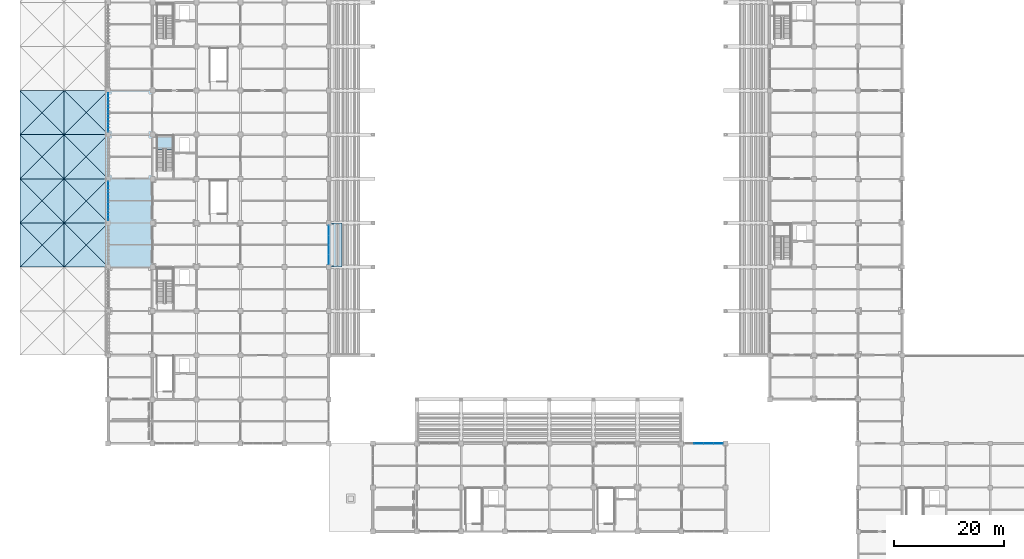
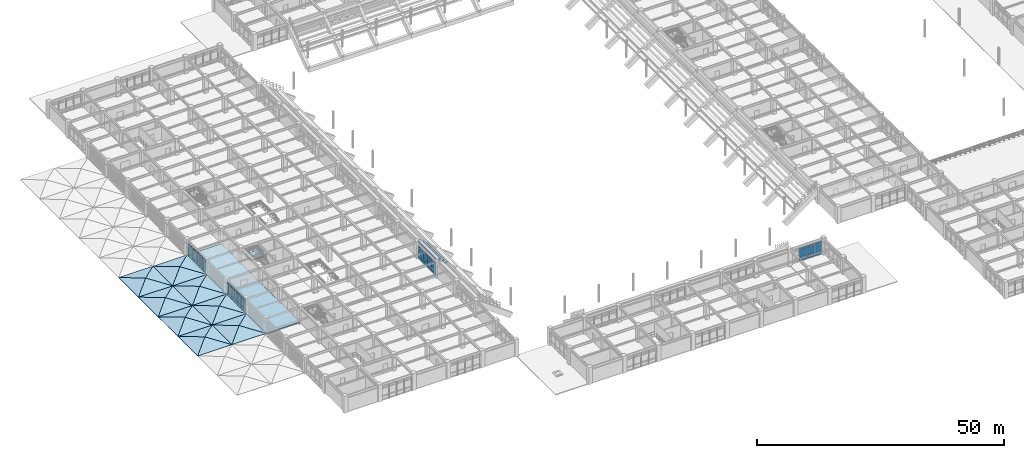
# One storey, part 68 of 118: 45 plates, 37 slabs, 5 elements without a shape of their own.
"""IFC4 building model written with IfcOpenShell, lengths in metres."""

from ifc_helpers import new_model, si_unit, direction, frame, origin, origin_2d, place, context, subcontext, project, spatial, polyline, rectangle, outline, extrude, material, layer, layer_set, type_object, element, aggregate, save


model = new_model("IFC4")

# Units and contexts
model_context = context("Model", 3, precision=1e-05, world=origin(), true_north=direction((0.0, 1.0)))
body_context = subcontext(model_context, "Body", "Model", "MODEL_VIEW")
ifc_project = project(units=[si_unit("LENGTHUNIT", "METRE"), si_unit("AREAUNIT", "SQUARE_METRE"), si_unit("VOLUMEUNIT", "CUBIC_METRE"), si_unit("PLANEANGLEUNIT", "RADIAN"), si_unit("MASSUNIT", "GRAM", prefix="KILO")], contexts=[model_context])

# Site, building, storey
site_placement = place(None, origin())
site = spatial("IfcSite", under=ifc_project, at=site_placement, CompositionType="ELEMENT")
building_placement = place(site_placement, origin())
building = spatial("IfcBuilding", under=site, at=building_placement, Name="Haebicheon Civic Stadium", CompositionType="ELEMENT")
storey_placement = place(building_placement, frame((0.0, 0.0, 14.39990234375)))
storey = spatial("IfcBuildingStorey", under=building, at=storey_placement, Name="L04", CompositionType="ELEMENT", Elevation=14.39990234375)

# Curtain wall, plates
ifc_material_1 = material(Name="Anodised aluminium and laminated glass", Category="aluminium")
ifc_layer_1 = layer(ifc_material_1, 0.179931640625, Name="Anodised aluminium and laminated glass")
ifc_layer_set_1 = layer_set([ifc_layer_1], Name="Anodised aluminium and laminated glass")
curtain_wall_type_1 = type_object("IfcCurtainWallType", Name="CW-7100x3330", PredefinedType="NOTDEFINED", material=ifc_layer_set_1)
curtain_wall_1_placement = place(storey_placement, origin())
curtain_wall_1 = element("IfcCurtainWall", 1, at=curtain_wall_1_placement, inside=storey, type_object=curtain_wall_type_1, material=ifc_layer_set_1, Name="L04 unitised curtain wall 107", PredefinedType="NOTDEFINED")
ifc_material_2 = material(Name="Double low-e acoustic laminated glass", Category="glass")
ifc_layer_2 = layer(ifc_material_2, 0.035888671875, Name="Double low-e acoustic laminated glass")
ifc_layer_set_2 = layer_set([ifc_layer_2], Name="Double low-e acoustic laminated glass")
plate_type_1 = type_object("IfcPlateType", Name="CWP-GLZ-36", PredefinedType="CURTAIN_PANEL", material=ifc_layer_set_2)
plate_1_placement = place(storey_placement, frame((24.0, 73.35498046875, 0.93505859375), z_axis=(0.0, 0.0, 1.0), x_axis=(0.0, 1.0, 0.0)))
plate_1 = element("IfcPlate", 2, at=plate_1_placement, type_object=plate_type_1, material=ifc_layer_set_2, Name="CW-L04-107 vision panel 1.2", PredefinedType="CURTAIN_PANEL", context=body_context, shape_type="SweptSolid", body=[
    extrude(rectangle(XDim=1.669921875, YDim=0.035888671875, at=origin_2d()), origin(), (0.0, 0.0, 1.0), 1.81005859375),
])
plate_2_placement = place(storey_placement, frame((24.0, 75.112060546875, 0.93505859375), z_axis=(0.0, 0.0, 1.0), x_axis=(0.0, 1.0, 0.0)))
plate_2 = element("IfcPlate", 3, at=plate_2_placement, type_object=plate_type_1, material=ifc_layer_set_2, Name="CW-L04-107 vision panel 2.2", PredefinedType="CURTAIN_PANEL", context=body_context, shape_type="SweptSolid", body=[
    extrude(rectangle(XDim=1.705078125, YDim=0.035888671875, at=origin_2d()), origin(), (0.0, 0.0, 1.0), 1.81005859375),
])
plate_3_placement = place(storey_placement, frame((24.0, 76.887939453125, 0.93505859375), z_axis=(0.0, 0.0, 1.0), x_axis=(0.0, 1.0, 0.0)))
plate_3 = element("IfcPlate", 4, at=plate_3_placement, type_object=plate_type_1, material=ifc_layer_set_2, Name="CW-L04-107 vision panel 3.2", PredefinedType="CURTAIN_PANEL", context=body_context, shape_type="SweptSolid", body=[
    extrude(rectangle(XDim=1.705078125, YDim=0.035888671875, at=origin_2d()), origin(), (0.0, 0.0, 1.0), 1.81005859375),
])
plate_4_placement = place(storey_placement, frame((24.0, 78.64501953125, 0.93505859375), z_axis=(0.0, 0.0, 1.0), x_axis=(0.0, 1.0, 0.0)))
plate_4 = element("IfcPlate", 5, at=plate_4_placement, type_object=plate_type_1, material=ifc_layer_set_2, Name="CW-L04-107 vision panel 4.2", PredefinedType="CURTAIN_PANEL", context=body_context, shape_type="SweptSolid", body=[
    extrude(rectangle(XDim=1.669921875, YDim=0.035888671875, at=origin_2d()), origin(), (0.0, 0.0, 1.0), 1.81005859375),
])

curtain_wall_2_placement = place(storey_placement, origin())
curtain_wall_2 = element("IfcCurtainWall", 6, at=curtain_wall_2_placement, inside=storey, type_object=curtain_wall_type_1, material=ifc_layer_set_1, Name="L04 unitised curtain wall 108", PredefinedType="NOTDEFINED")
plate_5_placement = place(storey_placement, frame((24.0, 89.35498046875, 0.93505859375), z_axis=(0.0, 0.0, 1.0), x_axis=(0.0, 1.0, 0.0)))
plate_5 = element("IfcPlate", 7, at=plate_5_placement, type_object=plate_type_1, material=ifc_layer_set_2, Name="CW-L04-108 vision panel 1.2", PredefinedType="CURTAIN_PANEL", context=body_context, shape_type="SweptSolid", body=[
    extrude(rectangle(XDim=1.669921875, YDim=0.035888671875, at=origin_2d()), origin(), (0.0, 0.0, 1.0), 1.81005859375),
])
plate_6_placement = place(storey_placement, frame((24.0, 91.112060546875, 0.93505859375), z_axis=(0.0, 0.0, 1.0), x_axis=(0.0, 1.0, 0.0)))
plate_6 = element("IfcPlate", 8, at=plate_6_placement, type_object=plate_type_1, material=ifc_layer_set_2, Name="CW-L04-108 vision panel 2.2", PredefinedType="CURTAIN_PANEL", context=body_context, shape_type="SweptSolid", body=[
    extrude(rectangle(XDim=1.705078125, YDim=0.035888671875, at=origin_2d()), origin(), (0.0, 0.0, 1.0), 1.81005859375),
])
plate_7_placement = place(storey_placement, frame((24.0, 92.887939453125, 0.93505859375), z_axis=(0.0, 0.0, 1.0), x_axis=(0.0, 1.0, 0.0)))
plate_7 = element("IfcPlate", 9, at=plate_7_placement, type_object=plate_type_1, material=ifc_layer_set_2, Name="CW-L04-108 vision panel 3.2", PredefinedType="CURTAIN_PANEL", context=body_context, shape_type="SweptSolid", body=[
    extrude(rectangle(XDim=1.705078125, YDim=0.035888671875, at=origin_2d()), origin(), (0.0, 0.0, 1.0), 1.81005859375),
])
plate_8_placement = place(storey_placement, frame((24.0, 94.64501953125, 0.93505859375), z_axis=(0.0, 0.0, 1.0), x_axis=(0.0, 1.0, 0.0)))
plate_8 = element("IfcPlate", 10, at=plate_8_placement, type_object=plate_type_1, material=ifc_layer_set_2, Name="CW-L04-108 vision panel 4.2", PredefinedType="CURTAIN_PANEL", context=body_context, shape_type="SweptSolid", body=[
    extrude(rectangle(XDim=1.669921875, YDim=0.035888671875, at=origin_2d()), origin(), (0.0, 0.0, 1.0), 1.81005859375),
])

ifc_material_3 = material(Name="Anodised aluminium and laminated glass", Category="aluminium")
ifc_layer_3 = layer(ifc_material_3, 0.179931640625, Name="Anodised aluminium and laminated glass")
ifc_layer_set_3 = layer_set([ifc_layer_3], Name="Anodised aluminium and laminated glass")
curtain_wall_type_2 = type_object("IfcCurtainWallType", Name="CW-7100x3100", PredefinedType="NOTDEFINED", material=ifc_layer_set_3)
curtain_wall_3_placement = place(storey_placement, origin())
curtain_wall_3 = element("IfcCurtainWall", 11, at=curtain_wall_3_placement, inside=storey, type_object=curtain_wall_type_2, material=ifc_layer_set_3, Name="L04 unitised curtain wall 118", PredefinedType="NOTDEFINED")
plate_9_placement = place(storey_placement, frame((64.0, 65.35498046875, 0.93505859375), z_axis=(0.0, 0.0, 1.0), x_axis=(0.0, 1.0, 0.0)))
plate_9 = element("IfcPlate", 12, at=plate_9_placement, type_object=plate_type_1, material=ifc_layer_set_2, Name="CW-L04-118 vision panel 1.2", PredefinedType="CURTAIN_PANEL", context=body_context, shape_type="SweptSolid", body=[
    extrude(rectangle(XDim=1.669921875, YDim=0.035888671875, at=origin_2d()), origin(), (0.0, 0.0, 1.0), 1.580078125),
])
plate_10_placement = place(storey_placement, frame((64.0, 67.112060546875, 0.93505859375), z_axis=(0.0, 0.0, 1.0), x_axis=(0.0, 1.0, 0.0)))
plate_10 = element("IfcPlate", 13, at=plate_10_placement, type_object=plate_type_1, material=ifc_layer_set_2, Name="CW-L04-118 vision panel 2.2", PredefinedType="CURTAIN_PANEL", context=body_context, shape_type="SweptSolid", body=[
    extrude(rectangle(XDim=1.705078125, YDim=0.035888671875, at=origin_2d()), origin(), (0.0, 0.0, 1.0), 1.580078125),
])
plate_11_placement = place(storey_placement, frame((64.0, 68.887939453125, 0.93505859375), z_axis=(0.0, 0.0, 1.0), x_axis=(0.0, 1.0, 0.0)))
plate_11 = element("IfcPlate", 14, at=plate_11_placement, type_object=plate_type_1, material=ifc_layer_set_2, Name="CW-L04-118 vision panel 3.2", PredefinedType="CURTAIN_PANEL", context=body_context, shape_type="SweptSolid", body=[
    extrude(rectangle(XDim=1.705078125, YDim=0.035888671875, at=origin_2d()), origin(), (0.0, 0.0, 1.0), 1.580078125),
])
plate_12_placement = place(storey_placement, frame((64.0, 70.64501953125, 0.93505859375), z_axis=(0.0, 0.0, 1.0), x_axis=(0.0, 1.0, 0.0)))
plate_12 = element("IfcPlate", 15, at=plate_12_placement, type_object=plate_type_1, material=ifc_layer_set_2, Name="CW-L04-118 vision panel 4.2", PredefinedType="CURTAIN_PANEL", context=body_context, shape_type="SweptSolid", body=[
    extrude(rectangle(XDim=1.669921875, YDim=0.035888671875, at=origin_2d()), origin(), (0.0, 0.0, 1.0), 1.580078125),
])

ifc_material_4 = material(Name="Anodised aluminium and laminated glass", Category="aluminium")
ifc_layer_4 = layer(ifc_material_4, 0.179931640625, Name="Anodised aluminium and laminated glass")
ifc_layer_set_4 = layer_set([ifc_layer_4], Name="Anodised aluminium and laminated glass")
curtain_wall_type_3 = type_object("IfcCurtainWallType", Name="CW-7100x3346", PredefinedType="NOTDEFINED", material=ifc_layer_set_4)
curtain_wall_4_placement = place(storey_placement, origin())
curtain_wall_4 = element("IfcCurtainWall", 16, at=curtain_wall_4_placement, inside=storey, type_object=curtain_wall_type_3, material=ifc_layer_set_4, Name="L04 unitised curtain wall 140", PredefinedType="NOTDEFINED")
plate_13_placement = place(storey_placement, frame((131.112060546875, 32.0, 0.93505859375), z_axis=(0.0, 0.0, 1.0), x_axis=(1.0, 0.0, 0.0)))
plate_13 = element("IfcPlate", 17, at=plate_13_placement, type_object=plate_type_1, material=ifc_layer_set_2, Name="CW-L04-140 vision panel 2.2", PredefinedType="CURTAIN_PANEL", context=body_context, shape_type="SweptSolid", body=[
    extrude(rectangle(XDim=1.705078125, YDim=0.035888671875, at=origin_2d()), origin(), (0.0, 0.0, 1.0), 1.825927734375),
])
plate_14_placement = place(storey_placement, frame((132.887939453125, 32.0, 0.93505859375), z_axis=(0.0, 0.0, 1.0), x_axis=(1.0, 0.0, 0.0)))
plate_14 = element("IfcPlate", 18, at=plate_14_placement, type_object=plate_type_1, material=ifc_layer_set_2, Name="CW-L04-140 vision panel 3.2", PredefinedType="CURTAIN_PANEL", context=body_context, shape_type="SweptSolid", body=[
    extrude(rectangle(XDim=1.705078125, YDim=0.035888671875, at=origin_2d()), origin(), (0.0, 0.0, 1.0), 1.825927734375),
])
plate_15_placement = place(storey_placement, frame((134.64501953125, 32.0, 0.93505859375), z_axis=(0.0, 0.0, 1.0), x_axis=(1.0, 0.0, 0.0)))
plate_15 = element("IfcPlate", 19, at=plate_15_placement, type_object=plate_type_1, material=ifc_layer_set_2, Name="CW-L04-140 vision panel 4.2", PredefinedType="CURTAIN_PANEL", context=body_context, shape_type="SweptSolid", body=[
    extrude(rectangle(XDim=1.669921875, YDim=0.035888671875, at=origin_2d()), origin(), (0.0, 0.0, 1.0), 1.825927734375),
])

# Plate
ifc_material_5 = material(Name="Anodised aluminium 6063-T6", Category="aluminium")
ifc_layer_5 = layer(ifc_material_5, 0.053955078125, Name="Anodised aluminium 6063-T6")
ifc_layer_set_5 = layer_set([ifc_layer_5], Name="Anodised aluminium 6063-T6")
plate_type_2 = type_object("IfcPlateType", Name="CWP-SPD-54", PredefinedType="CURTAIN_PANEL", material=ifc_layer_set_5)
plate_16_placement = place(storey_placement, frame((24.0, 73.35498046875, 0.03515625), z_axis=(0.0, 0.0, 1.0), x_axis=(0.0, 1.0, 0.0)))
plate_16 = element("IfcPlate", 20, at=plate_16_placement, type_object=plate_type_2, material=ifc_layer_set_5, Name="CW-L04-107 spandrel panel 1.1", PredefinedType="CURTAIN_PANEL", context=body_context, shape_type="SweptSolid", body=[
    extrude(rectangle(XDim=1.669921875, YDim=0.053955078125, at=origin_2d()), origin(), (0.0, 0.0, 1.0), 0.830078125),
])

plate_17_placement = place(storey_placement, frame((24.0, 73.35498046875, 2.815185546875), z_axis=(0.0, 0.0, 1.0), x_axis=(0.0, 1.0, 0.0)))
plate_17 = element("IfcPlate", 21, at=plate_17_placement, type_object=plate_type_2, material=ifc_layer_set_5, Name="CW-L04-107 spandrel panel 1.3", PredefinedType="CURTAIN_PANEL", context=body_context, shape_type="SweptSolid", body=[
    extrude(rectangle(XDim=1.669921875, YDim=0.053955078125, at=origin_2d()), origin(), (0.0, 0.0, 1.0), 0.47998046875),
])

plate_18_placement = place(storey_placement, frame((24.0, 75.112060546875, 0.03515625), z_axis=(0.0, 0.0, 1.0), x_axis=(0.0, 1.0, 0.0)))
plate_18 = element("IfcPlate", 22, at=plate_18_placement, type_object=plate_type_2, material=ifc_layer_set_5, Name="CW-L04-107 spandrel panel 2.1", PredefinedType="CURTAIN_PANEL", context=body_context, shape_type="SweptSolid", body=[
    extrude(rectangle(XDim=1.705078125, YDim=0.053955078125, at=origin_2d()), origin(), (0.0, 0.0, 1.0), 0.830078125),
])

plate_19_placement = place(storey_placement, frame((24.0, 75.112060546875, 2.815185546875), z_axis=(0.0, 0.0, 1.0), x_axis=(0.0, 1.0, 0.0)))
plate_19 = element("IfcPlate", 23, at=plate_19_placement, type_object=plate_type_2, material=ifc_layer_set_5, Name="CW-L04-107 spandrel panel 2.3", PredefinedType="CURTAIN_PANEL", context=body_context, shape_type="SweptSolid", body=[
    extrude(rectangle(XDim=1.705078125, YDim=0.053955078125, at=origin_2d()), origin(), (0.0, 0.0, 1.0), 0.47998046875),
])

plate_20_placement = place(storey_placement, frame((24.0, 76.887939453125, 0.03515625), z_axis=(0.0, 0.0, 1.0), x_axis=(0.0, 1.0, 0.0)))
plate_20 = element("IfcPlate", 24, at=plate_20_placement, type_object=plate_type_2, material=ifc_layer_set_5, Name="CW-L04-107 spandrel panel 3.1", PredefinedType="CURTAIN_PANEL", context=body_context, shape_type="SweptSolid", body=[
    extrude(rectangle(XDim=1.705078125, YDim=0.053955078125, at=origin_2d()), origin(), (0.0, 0.0, 1.0), 0.830078125),
])

plate_21_placement = place(storey_placement, frame((24.0, 76.887939453125, 2.815185546875), z_axis=(0.0, 0.0, 1.0), x_axis=(0.0, 1.0, 0.0)))
plate_21 = element("IfcPlate", 25, at=plate_21_placement, type_object=plate_type_2, material=ifc_layer_set_5, Name="CW-L04-107 spandrel panel 3.3", PredefinedType="CURTAIN_PANEL", context=body_context, shape_type="SweptSolid", body=[
    extrude(rectangle(XDim=1.705078125, YDim=0.053955078125, at=origin_2d()), origin(), (0.0, 0.0, 1.0), 0.47998046875),
])

plate_22_placement = place(storey_placement, frame((24.0, 78.64501953125, 0.03515625), z_axis=(0.0, 0.0, 1.0), x_axis=(0.0, 1.0, 0.0)))
plate_22 = element("IfcPlate", 26, at=plate_22_placement, type_object=plate_type_2, material=ifc_layer_set_5, Name="CW-L04-107 spandrel panel 4.1", PredefinedType="CURTAIN_PANEL", context=body_context, shape_type="SweptSolid", body=[
    extrude(rectangle(XDim=1.669921875, YDim=0.053955078125, at=origin_2d()), origin(), (0.0, 0.0, 1.0), 0.830078125),
])

plate_23_placement = place(storey_placement, frame((24.0, 78.64501953125, 2.815185546875), z_axis=(0.0, 0.0, 1.0), x_axis=(0.0, 1.0, 0.0)))
plate_23 = element("IfcPlate", 27, at=plate_23_placement, type_object=plate_type_2, material=ifc_layer_set_5, Name="CW-L04-107 spandrel panel 4.3", PredefinedType="CURTAIN_PANEL", context=body_context, shape_type="SweptSolid", body=[
    extrude(rectangle(XDim=1.669921875, YDim=0.053955078125, at=origin_2d()), origin(), (0.0, 0.0, 1.0), 0.47998046875),
])

aggregate(curtain_wall_1, [plate_16, plate_1, plate_17, plate_18, plate_2, plate_19, plate_20, plate_3, plate_21, plate_22, plate_4, plate_23])

plate_24_placement = place(storey_placement, frame((24.0, 89.35498046875, 0.03515625), z_axis=(0.0, 0.0, 1.0), x_axis=(0.0, 1.0, 0.0)))
plate_24 = element("IfcPlate", 28, at=plate_24_placement, type_object=plate_type_2, material=ifc_layer_set_5, Name="CW-L04-108 spandrel panel 1.1", PredefinedType="CURTAIN_PANEL", context=body_context, shape_type="SweptSolid", body=[
    extrude(rectangle(XDim=1.669921875, YDim=0.053955078125, at=origin_2d()), origin(), (0.0, 0.0, 1.0), 0.830078125),
])

plate_25_placement = place(storey_placement, frame((24.0, 89.35498046875, 2.815185546875), z_axis=(0.0, 0.0, 1.0), x_axis=(0.0, 1.0, 0.0)))
plate_25 = element("IfcPlate", 29, at=plate_25_placement, type_object=plate_type_2, material=ifc_layer_set_5, Name="CW-L04-108 spandrel panel 1.3", PredefinedType="CURTAIN_PANEL", context=body_context, shape_type="SweptSolid", body=[
    extrude(rectangle(XDim=1.669921875, YDim=0.053955078125, at=origin_2d()), origin(), (0.0, 0.0, 1.0), 0.47998046875),
])

plate_26_placement = place(storey_placement, frame((24.0, 91.112060546875, 0.03515625), z_axis=(0.0, 0.0, 1.0), x_axis=(0.0, 1.0, 0.0)))
plate_26 = element("IfcPlate", 30, at=plate_26_placement, type_object=plate_type_2, material=ifc_layer_set_5, Name="CW-L04-108 spandrel panel 2.1", PredefinedType="CURTAIN_PANEL", context=body_context, shape_type="SweptSolid", body=[
    extrude(rectangle(XDim=1.705078125, YDim=0.053955078125, at=origin_2d()), origin(), (0.0, 0.0, 1.0), 0.830078125),
])

plate_27_placement = place(storey_placement, frame((24.0, 91.112060546875, 2.815185546875), z_axis=(0.0, 0.0, 1.0), x_axis=(0.0, 1.0, 0.0)))
plate_27 = element("IfcPlate", 31, at=plate_27_placement, type_object=plate_type_2, material=ifc_layer_set_5, Name="CW-L04-108 spandrel panel 2.3", PredefinedType="CURTAIN_PANEL", context=body_context, shape_type="SweptSolid", body=[
    extrude(rectangle(XDim=1.705078125, YDim=0.053955078125, at=origin_2d()), origin(), (0.0, 0.0, 1.0), 0.47998046875),
])

plate_28_placement = place(storey_placement, frame((24.0, 92.887939453125, 0.03515625), z_axis=(0.0, 0.0, 1.0), x_axis=(0.0, 1.0, 0.0)))
plate_28 = element("IfcPlate", 32, at=plate_28_placement, type_object=plate_type_2, material=ifc_layer_set_5, Name="CW-L04-108 spandrel panel 3.1", PredefinedType="CURTAIN_PANEL", context=body_context, shape_type="SweptSolid", body=[
    extrude(rectangle(XDim=1.705078125, YDim=0.053955078125, at=origin_2d()), origin(), (0.0, 0.0, 1.0), 0.830078125),
])

plate_29_placement = place(storey_placement, frame((24.0, 92.887939453125, 2.815185546875), z_axis=(0.0, 0.0, 1.0), x_axis=(0.0, 1.0, 0.0)))
plate_29 = element("IfcPlate", 33, at=plate_29_placement, type_object=plate_type_2, material=ifc_layer_set_5, Name="CW-L04-108 spandrel panel 3.3", PredefinedType="CURTAIN_PANEL", context=body_context, shape_type="SweptSolid", body=[
    extrude(rectangle(XDim=1.705078125, YDim=0.053955078125, at=origin_2d()), origin(), (0.0, 0.0, 1.0), 0.47998046875),
])

plate_30_placement = place(storey_placement, frame((24.0, 94.64501953125, 0.03515625), z_axis=(0.0, 0.0, 1.0), x_axis=(0.0, 1.0, 0.0)))
plate_30 = element("IfcPlate", 34, at=plate_30_placement, type_object=plate_type_2, material=ifc_layer_set_5, Name="CW-L04-108 spandrel panel 4.1", PredefinedType="CURTAIN_PANEL", context=body_context, shape_type="SweptSolid", body=[
    extrude(rectangle(XDim=1.669921875, YDim=0.053955078125, at=origin_2d()), origin(), (0.0, 0.0, 1.0), 0.830078125),
])

plate_31_placement = place(storey_placement, frame((24.0, 94.64501953125, 2.815185546875), z_axis=(0.0, 0.0, 1.0), x_axis=(0.0, 1.0, 0.0)))
plate_31 = element("IfcPlate", 35, at=plate_31_placement, type_object=plate_type_2, material=ifc_layer_set_5, Name="CW-L04-108 spandrel panel 4.3", PredefinedType="CURTAIN_PANEL", context=body_context, shape_type="SweptSolid", body=[
    extrude(rectangle(XDim=1.669921875, YDim=0.053955078125, at=origin_2d()), origin(), (0.0, 0.0, 1.0), 0.47998046875),
])

aggregate(curtain_wall_2, [plate_24, plate_5, plate_25, plate_26, plate_6, plate_27, plate_28, plate_7, plate_29, plate_30, plate_8, plate_31])

plate_32_placement = place(storey_placement, frame((64.0, 65.35498046875, 0.03515625), z_axis=(0.0, 0.0, 1.0), x_axis=(0.0, 1.0, 0.0)))
plate_32 = element("IfcPlate", 36, at=plate_32_placement, type_object=plate_type_2, material=ifc_layer_set_5, Name="CW-L04-118 spandrel panel 1.1", PredefinedType="CURTAIN_PANEL", context=body_context, shape_type="SweptSolid", body=[
    extrude(rectangle(XDim=1.669921875, YDim=0.053955078125, at=origin_2d()), origin(), (0.0, 0.0, 1.0), 0.830078125),
])

plate_33_placement = place(storey_placement, frame((64.0, 65.35498046875, 2.585205078125), z_axis=(0.0, 0.0, 1.0), x_axis=(0.0, 1.0, 0.0)))
plate_33 = element("IfcPlate", 37, at=plate_33_placement, type_object=plate_type_2, material=ifc_layer_set_5, Name="CW-L04-118 spandrel panel 1.3", PredefinedType="CURTAIN_PANEL", context=body_context, shape_type="SweptSolid", body=[
    extrude(rectangle(XDim=1.669921875, YDim=0.053955078125, at=origin_2d()), origin(), (0.0, 0.0, 1.0), 0.47998046875),
])

plate_34_placement = place(storey_placement, frame((64.0, 67.112060546875, 0.03515625), z_axis=(0.0, 0.0, 1.0), x_axis=(0.0, 1.0, 0.0)))
plate_34 = element("IfcPlate", 38, at=plate_34_placement, type_object=plate_type_2, material=ifc_layer_set_5, Name="CW-L04-118 spandrel panel 2.1", PredefinedType="CURTAIN_PANEL", context=body_context, shape_type="SweptSolid", body=[
    extrude(rectangle(XDim=1.705078125, YDim=0.053955078125, at=origin_2d()), origin(), (0.0, 0.0, 1.0), 0.830078125),
])

plate_35_placement = place(storey_placement, frame((64.0, 67.112060546875, 2.585205078125), z_axis=(0.0, 0.0, 1.0), x_axis=(0.0, 1.0, 0.0)))
plate_35 = element("IfcPlate", 39, at=plate_35_placement, type_object=plate_type_2, material=ifc_layer_set_5, Name="CW-L04-118 spandrel panel 2.3", PredefinedType="CURTAIN_PANEL", context=body_context, shape_type="SweptSolid", body=[
    extrude(rectangle(XDim=1.705078125, YDim=0.053955078125, at=origin_2d()), origin(), (0.0, 0.0, 1.0), 0.47998046875),
])

plate_36_placement = place(storey_placement, frame((64.0, 68.887939453125, 0.03515625), z_axis=(0.0, 0.0, 1.0), x_axis=(0.0, 1.0, 0.0)))
plate_36 = element("IfcPlate", 40, at=plate_36_placement, type_object=plate_type_2, material=ifc_layer_set_5, Name="CW-L04-118 spandrel panel 3.1", PredefinedType="CURTAIN_PANEL", context=body_context, shape_type="SweptSolid", body=[
    extrude(rectangle(XDim=1.705078125, YDim=0.053955078125, at=origin_2d()), origin(), (0.0, 0.0, 1.0), 0.830078125),
])

plate_37_placement = place(storey_placement, frame((64.0, 68.887939453125, 2.585205078125), z_axis=(0.0, 0.0, 1.0), x_axis=(0.0, 1.0, 0.0)))
plate_37 = element("IfcPlate", 41, at=plate_37_placement, type_object=plate_type_2, material=ifc_layer_set_5, Name="CW-L04-118 spandrel panel 3.3", PredefinedType="CURTAIN_PANEL", context=body_context, shape_type="SweptSolid", body=[
    extrude(rectangle(XDim=1.705078125, YDim=0.053955078125, at=origin_2d()), origin(), (0.0, 0.0, 1.0), 0.47998046875),
])

plate_38_placement = place(storey_placement, frame((64.0, 70.64501953125, 0.03515625), z_axis=(0.0, 0.0, 1.0), x_axis=(0.0, 1.0, 0.0)))
plate_38 = element("IfcPlate", 42, at=plate_38_placement, type_object=plate_type_2, material=ifc_layer_set_5, Name="CW-L04-118 spandrel panel 4.1", PredefinedType="CURTAIN_PANEL", context=body_context, shape_type="SweptSolid", body=[
    extrude(rectangle(XDim=1.669921875, YDim=0.053955078125, at=origin_2d()), origin(), (0.0, 0.0, 1.0), 0.830078125),
])

plate_39_placement = place(storey_placement, frame((64.0, 70.64501953125, 2.585205078125), z_axis=(0.0, 0.0, 1.0), x_axis=(0.0, 1.0, 0.0)))
plate_39 = element("IfcPlate", 43, at=plate_39_placement, type_object=plate_type_2, material=ifc_layer_set_5, Name="CW-L04-118 spandrel panel 4.3", PredefinedType="CURTAIN_PANEL", context=body_context, shape_type="SweptSolid", body=[
    extrude(rectangle(XDim=1.669921875, YDim=0.053955078125, at=origin_2d()), origin(), (0.0, 0.0, 1.0), 0.47998046875),
])

aggregate(curtain_wall_3, [plate_32, plate_9, plate_33, plate_34, plate_10, plate_35, plate_36, plate_11, plate_37, plate_38, plate_12, plate_39])

plate_40_placement = place(storey_placement, frame((131.112060546875, 32.0, 0.03515625), z_axis=(0.0, 0.0, 1.0), x_axis=(1.0, 0.0, 0.0)))
plate_40 = element("IfcPlate", 44, at=plate_40_placement, type_object=plate_type_2, material=ifc_layer_set_5, Name="CW-L04-140 spandrel panel 2.1", PredefinedType="CURTAIN_PANEL", context=body_context, shape_type="SweptSolid", body=[
    extrude(rectangle(XDim=1.705078125, YDim=0.053955078125, at=origin_2d()), origin(), (0.0, 0.0, 1.0), 0.830078125),
])

plate_41_placement = place(storey_placement, frame((131.112060546875, 32.0, 2.8310546875), z_axis=(0.0, 0.0, 1.0), x_axis=(1.0, 0.0, 0.0)))
plate_41 = element("IfcPlate", 45, at=plate_41_placement, type_object=plate_type_2, material=ifc_layer_set_5, Name="CW-L04-140 spandrel panel 2.3", PredefinedType="CURTAIN_PANEL", context=body_context, shape_type="SweptSolid", body=[
    extrude(rectangle(XDim=1.705078125, YDim=0.053955078125, at=origin_2d()), origin(), (0.0, 0.0, 1.0), 0.47998046875),
])

plate_42_placement = place(storey_placement, frame((132.887939453125, 32.0, 0.03515625), z_axis=(0.0, 0.0, 1.0), x_axis=(1.0, 0.0, 0.0)))
plate_42 = element("IfcPlate", 46, at=plate_42_placement, type_object=plate_type_2, material=ifc_layer_set_5, Name="CW-L04-140 spandrel panel 3.1", PredefinedType="CURTAIN_PANEL", context=body_context, shape_type="SweptSolid", body=[
    extrude(rectangle(XDim=1.705078125, YDim=0.053955078125, at=origin_2d()), origin(), (0.0, 0.0, 1.0), 0.830078125),
])

plate_43_placement = place(storey_placement, frame((132.887939453125, 32.0, 2.8310546875), z_axis=(0.0, 0.0, 1.0), x_axis=(1.0, 0.0, 0.0)))
plate_43 = element("IfcPlate", 47, at=plate_43_placement, type_object=plate_type_2, material=ifc_layer_set_5, Name="CW-L04-140 spandrel panel 3.3", PredefinedType="CURTAIN_PANEL", context=body_context, shape_type="SweptSolid", body=[
    extrude(rectangle(XDim=1.705078125, YDim=0.053955078125, at=origin_2d()), origin(), (0.0, 0.0, 1.0), 0.47998046875),
])

plate_44_placement = place(storey_placement, frame((134.64501953125, 32.0, 0.03515625), z_axis=(0.0, 0.0, 1.0), x_axis=(1.0, 0.0, 0.0)))
plate_44 = element("IfcPlate", 48, at=plate_44_placement, type_object=plate_type_2, material=ifc_layer_set_5, Name="CW-L04-140 spandrel panel 4.1", PredefinedType="CURTAIN_PANEL", context=body_context, shape_type="SweptSolid", body=[
    extrude(rectangle(XDim=1.669921875, YDim=0.053955078125, at=origin_2d()), origin(), (0.0, 0.0, 1.0), 0.830078125),
])

plate_45_placement = place(storey_placement, frame((134.64501953125, 32.0, 2.8310546875), z_axis=(0.0, 0.0, 1.0), x_axis=(1.0, 0.0, 0.0)))
plate_45 = element("IfcPlate", 49, at=plate_45_placement, type_object=plate_type_2, material=ifc_layer_set_5, Name="CW-L04-140 spandrel panel 4.3", PredefinedType="CURTAIN_PANEL", context=body_context, shape_type="SweptSolid", body=[
    extrude(rectangle(XDim=1.669921875, YDim=0.053955078125, at=origin_2d()), origin(), (0.0, 0.0, 1.0), 0.47998046875),
])

aggregate(curtain_wall_4, [plate_40, plate_13, plate_41, plate_42, plate_14, plate_43, plate_44, plate_15, plate_45])

# Slab
ifc_material_6 = material(Name="Concrete C40/50", Category="concrete")
ifc_layer_6 = layer(ifc_material_6, 0.260009765625, Name="Concrete C40/50")
ifc_layer_set_6 = layer_set([ifc_layer_6], Name="Concrete C40/50")
slab_type_1 = type_object("IfcSlabType", Name="SLB-FLR-260", PredefinedType="FLOOR", material=ifc_layer_set_6)
slab_1_placement = place(storey_placement, frame((0.0, 0.0, -0.260009765625)))
element("IfcSlab", 50, at=slab_1_placement, inside=storey, type_object=slab_type_1, material=ifc_layer_set_6, Name="L04 V1 structural slab 2.1", PredefinedType="FLOOR", context=body_context, shape_type="SweptSolid", body=[
    extrude(outline(polyline([(24.0, 64.0), (24.0, 72.0), (24.0, 80.0), (24.0, 88.0), (24.0, 96.0), (32.0, 96.0), (32.0, 88.0), (32.0, 80.0), (32.0, 72.0), (32.0, 64.0), (24.0, 64.0)])), origin(), (0.0, 0.0, 1.0), 0.260009765625),
])

# Stair, slab
ifc_material_7 = material(Name="Concrete C40/50", Category="concrete")
stair_type = type_object("IfcStairType", Name="STR-DL-W126-H42", PredefinedType="HALF_TURN_STAIR", material=ifc_material_7)
stair_placement = place(storey_placement, origin())
stair = element("IfcStair", 51, at=stair_placement, inside=storey, type_object=stair_type, material=ifc_material_7, Name="L04 Escape stair ST-03", PredefinedType="HALF_TURN_STAIR")
ifc_material_8 = material(Name="Concrete C40/50", Category="concrete")
ifc_layer_7 = layer(ifc_material_8, 0.199951171875, Name="Concrete C40/50")
ifc_layer_set_7 = layer_set([ifc_layer_7], Name="Concrete C40/50")
slab_type_2 = type_object("IfcSlabType", Name="SLB-LND-200", PredefinedType="LANDING", material=ifc_layer_set_7)
slab_2_placement = place(storey_placement, frame((0.0, 0.0, 1.900146484375)))
slab_2 = element("IfcSlab", 52, at=slab_2_placement, type_object=slab_type_2, material=ifc_layer_set_7, Name="ST-03 landing 1", PredefinedType="LANDING", context=body_context, shape_type="SweptSolid", body=[
    extrude(outline(polyline([(35.739990234375, 85.35009765625), (35.739990234375, 87.840087890625), (32.840087890625, 87.840087890625), (32.840087890625, 85.35009765625), (35.739990234375, 85.35009765625)])), origin(), (0.0, 0.0, 1.0), 0.199951171875),
])
aggregate(stair, [slab_2])

# Slabs
ifc_material_9 = material(Name="Precast concrete C40/50", Category="concrete")
ifc_layer_8 = layer(ifc_material_9, 0.169921875, Name="Precast concrete C40/50")
ifc_layer_set_8 = layer_set([ifc_layer_8], Name="Precast concrete C40/50")
slab_type_3 = type_object("IfcSlabType", Name="SLB-ROOF-170", PredefinedType="ROOF", material=ifc_layer_set_8)
for number, where, z_axis, x_axis, name in (
    (53, (8.0, 64.0, 0.02001953125), (0.0, -0.219546201048, 0.975602104142), (1.0, 0.0, 0.0), "L04 V5 folded shell roof facet 3.S"),
    (54, (16.0, 64.0, 0.02001953125), (0.219546201048, 0.0, 0.975602104142), (0.0, 1.0, 0.0), "L04 V5 folded shell roof facet 3.E"),
    (55, (16.0, 72.0, 0.02001953125), (0.0, 0.219546201048, 0.975602104142), (-1.0, 0.0, 0.0), "L04 V5 folded shell roof facet 3.N"),
    (56, (8.0, 72.0, 0.02001953125), (-0.219546201048, 0.0, 0.975602104142), (0.0, -1.0, 0.0), "L04 V5 folded shell roof facet 3.W"),
    (57, (8.0, 72.0, 0.02001953125), (0.0, -0.219546201048, 0.975602104142), (1.0, 0.0, 0.0), "L04 V5 folded shell roof facet 4.S"),
    (58, (16.0, 72.0, 0.02001953125), (0.219546201048, 0.0, 0.975602104142), (0.0, 1.0, 0.0), "L04 V5 folded shell roof facet 4.E"),
    (59, (16.0, 80.0, 0.02001953125), (0.0, 0.219546201048, 0.975602104142), (-1.0, 0.0, 0.0), "L04 V5 folded shell roof facet 4.N"),
    (60, (8.0, 80.0, 0.02001953125), (-0.219546201048, 0.0, 0.975602104142), (0.0, -1.0, 0.0), "L04 V5 folded shell roof facet 4.W"),
    (61, (8.0, 80.0, 0.02001953125), (0.0, -0.219546201048, 0.975602104142), (1.0, 0.0, 0.0), "L04 V5 folded shell roof facet 5.S"),
    (62, (16.0, 80.0, 0.02001953125), (0.219546201048, 0.0, 0.975602104142), (0.0, 1.0, 0.0), "L04 V5 folded shell roof facet 5.E"),
    (63, (16.0, 88.0, 0.02001953125), (0.0, 0.219546201048, 0.975602104142), (-1.0, 0.0, 0.0), "L04 V5 folded shell roof facet 5.N"),
    (64, (8.0, 88.0, 0.02001953125), (-0.219546201048, 0.0, 0.975602104142), (0.0, -1.0, 0.0), "L04 V5 folded shell roof facet 5.W"),
    (65, (8.0, 88.0, 0.02001953125), (0.0, -0.219546201048, 0.975602104142), (1.0, 0.0, 0.0), "L04 V5 folded shell roof facet 6.S"),
    (66, (16.0, 88.0, 0.02001953125), (0.219546201048, 0.0, 0.975602104142), (0.0, 1.0, 0.0), "L04 V5 folded shell roof facet 6.E"),
    (67, (16.0, 96.0, 0.02001953125), (0.0, 0.219546201048, 0.975602104142), (-1.0, 0.0, 0.0), "L04 V5 folded shell roof facet 6.N"),
    (68, (8.0, 96.0, 0.02001953125), (-0.219546201048, 0.0, 0.975602104142), (0.0, -1.0, 0.0), "L04 V5 folded shell roof facet 6.W"),
    (69, (16.0, 64.0, 0.02001953125), (0.0, -0.219546201048, 0.975602104142), (1.0, 0.0, 0.0), "L04 V5 folded shell roof facet 14.S"),
    (70, (24.0, 64.0, 0.02001953125), (0.219546201048, 0.0, 0.975602104142), (0.0, 1.0, 0.0), "L04 V5 folded shell roof facet 14.E"),
    (71, (24.0, 72.0, 0.02001953125), (0.0, 0.219546201048, 0.975602104142), (-1.0, 0.0, 0.0), "L04 V5 folded shell roof facet 14.N"),
    (72, (16.0, 72.0, 0.02001953125), (-0.219546201048, 0.0, 0.975602104142), (0.0, -1.0, 0.0), "L04 V5 folded shell roof facet 14.W"),
    (73, (16.0, 72.0, 0.02001953125), (0.0, -0.219546201048, 0.975602104142), (1.0, 0.0, 0.0), "L04 V5 folded shell roof facet 15.S"),
    (74, (24.0, 72.0, 0.02001953125), (0.219546201048, 0.0, 0.975602104142), (0.0, 1.0, 0.0), "L04 V5 folded shell roof facet 15.E"),
    (75, (24.0, 80.0, 0.02001953125), (0.0, 0.219546201048, 0.975602104142), (-1.0, 0.0, 0.0), "L04 V5 folded shell roof facet 15.N"),
    (76, (16.0, 80.0, 0.02001953125), (-0.219546201048, 0.0, 0.975602104142), (0.0, -1.0, 0.0), "L04 V5 folded shell roof facet 15.W"),
    (77, (16.0, 80.0, 0.02001953125), (0.0, -0.219546201048, 0.975602104142), (1.0, 0.0, 0.0), "L04 V5 folded shell roof facet 16.S"),
    (78, (24.0, 80.0, 0.02001953125), (0.219546201048, 0.0, 0.975602104142), (0.0, 1.0, 0.0), "L04 V5 folded shell roof facet 16.E"),
    (79, (24.0, 88.0, 0.02001953125), (0.0, 0.219546201048, 0.975602104142), (-1.0, 0.0, 0.0), "L04 V5 folded shell roof facet 16.N"),
    (80, (16.0, 88.0, 0.02001953125), (-0.219546201048, 0.0, 0.975602104142), (0.0, -1.0, 0.0), "L04 V5 folded shell roof facet 16.W"),
    (81, (16.0, 88.0, 0.02001953125), (0.0, -0.219546201048, 0.975602104142), (1.0, 0.0, 0.0), "L04 V5 folded shell roof facet 17.S"),
    (82, (24.0, 88.0, 0.02001953125), (0.219546201048, 0.0, 0.975602104142), (0.0, 1.0, 0.0), "L04 V5 folded shell roof facet 17.E"),
    (83, (24.0, 96.0, 0.02001953125), (0.0, 0.219546201048, 0.975602104142), (-1.0, 0.0, 0.0), "L04 V5 folded shell roof facet 17.N"),
    (84, (16.0, 96.0, 0.02001953125), (-0.219546201048, 0.0, 0.975602104142), (0.0, -1.0, 0.0), "L04 V5 folded shell roof facet 17.W"),
):
    element("IfcSlab", number, at=place(storey_placement, frame(where, z_axis=z_axis, x_axis=x_axis)), inside=storey, type_object=slab_type_3, material=ifc_layer_set_8, Name=name, PredefinedType="ROOF", context=body_context, shape_type="SweptSolid", body=[
        extrude(outline(polyline([(0.0, 0.0), (8.0, 0.0), (4.0, 4.1000321575973855), (0.0, 0.0)])), origin(), (0.0, 0.0, -1.0), 0.169921875),
    ])
ifc_material_10 = material(Name="Precast concrete C40/50", Category="concrete")
ifc_layer_9 = layer(ifc_material_10, 0.239990234375, Name="Precast concrete C40/50")
ifc_layer_set_9 = layer_set([ifc_layer_9], Name="Precast concrete C40/50")
slab_type_4 = type_object("IfcSlabType", Name="SLB-TIER-240", PredefinedType="USERDEFINED", material=ifc_layer_set_9)
slab_3_placement = place(storey_placement, frame((0.0, 0.0, 2.671142578125)))
element("IfcSlab", 85, at=slab_3_placement, inside=storey, type_object=slab_type_4, material=ifc_layer_set_9, Name="TIER-W-U precast seating tier bay 3 row-band 8", ObjectType="SEATING TIER", PredefinedType="USERDEFINED", context=body_context, shape_type="SweptSolid", body=[
    extrude(outline(polyline([(65.60009765625, 64.0), (66.39990234375, 64.0), (66.39990234375, 72.0), (65.60009765625, 72.0), (65.60009765625, 64.0)])), origin(), (0.0, 0.0, 1.0), 0.239990234375),
])
slab_4_placement = place(storey_placement, frame((0.0, 0.0, 3.316162109375)))
element("IfcSlab", 86, at=slab_4_placement, inside=storey, type_object=slab_type_4, material=ifc_layer_set_9, Name="TIER-W-U precast seating tier bay 3 row-band 9", ObjectType="SEATING TIER", PredefinedType="USERDEFINED", context=body_context, shape_type="SweptSolid", body=[
    extrude(outline(polyline([(64.800048828125, 64.0), (65.60009765625, 64.0), (65.60009765625, 72.0), (64.800048828125, 72.0), (64.800048828125, 64.0)])), origin(), (0.0, 0.0, 1.0), 0.239990234375),
])
slab_5_placement = place(storey_placement, frame((0.0, 0.0, 3.960205078125)))
element("IfcSlab", 87, at=slab_5_placement, inside=storey, type_object=slab_type_4, material=ifc_layer_set_9, Name="TIER-W-U precast seating tier bay 3 row-band 10", ObjectType="SEATING TIER", PredefinedType="USERDEFINED", context=body_context, shape_type="SweptSolid", body=[
    extrude(outline(polyline([(64.0, 64.0), (64.800048828125, 64.0), (64.800048828125, 72.0), (64.0, 72.0), (64.0, 64.0)])), origin(), (0.0, 0.0, 1.0), 0.239990234375),
])

save(model, "model.ifc")
